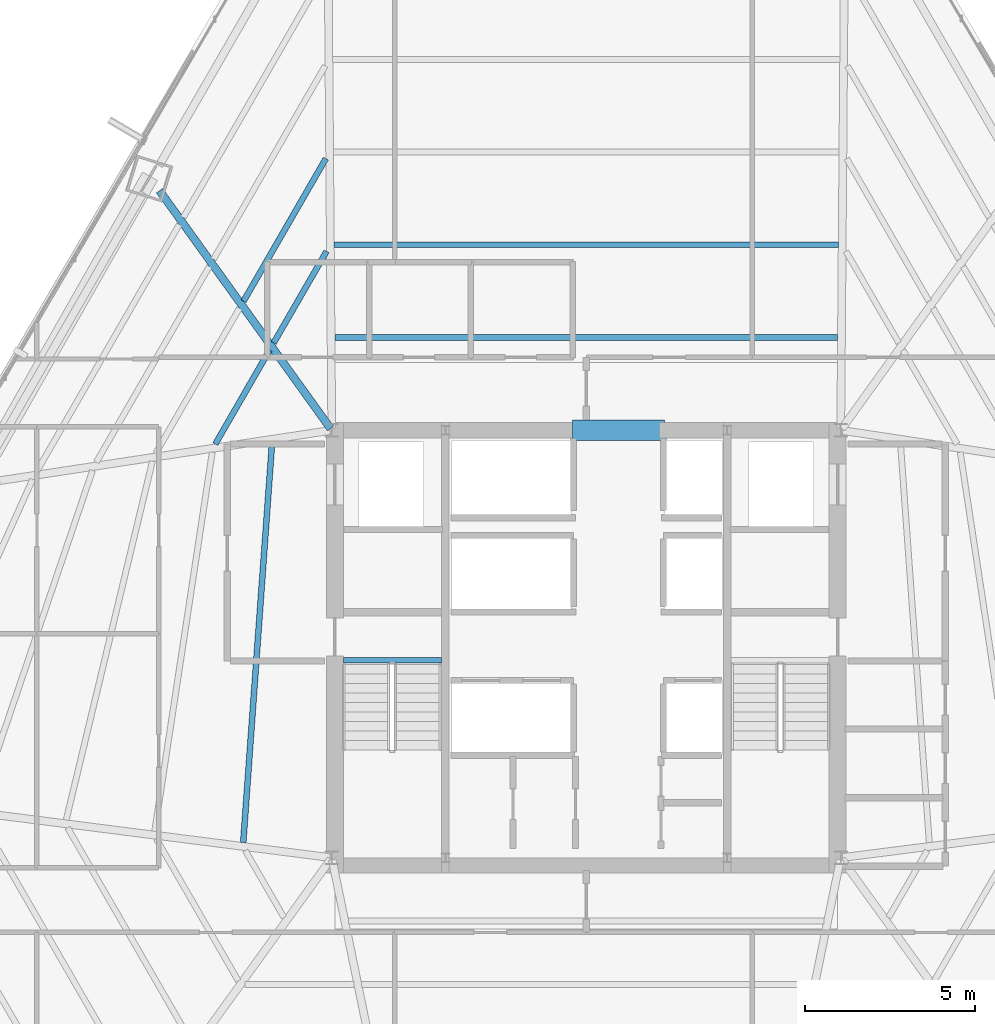
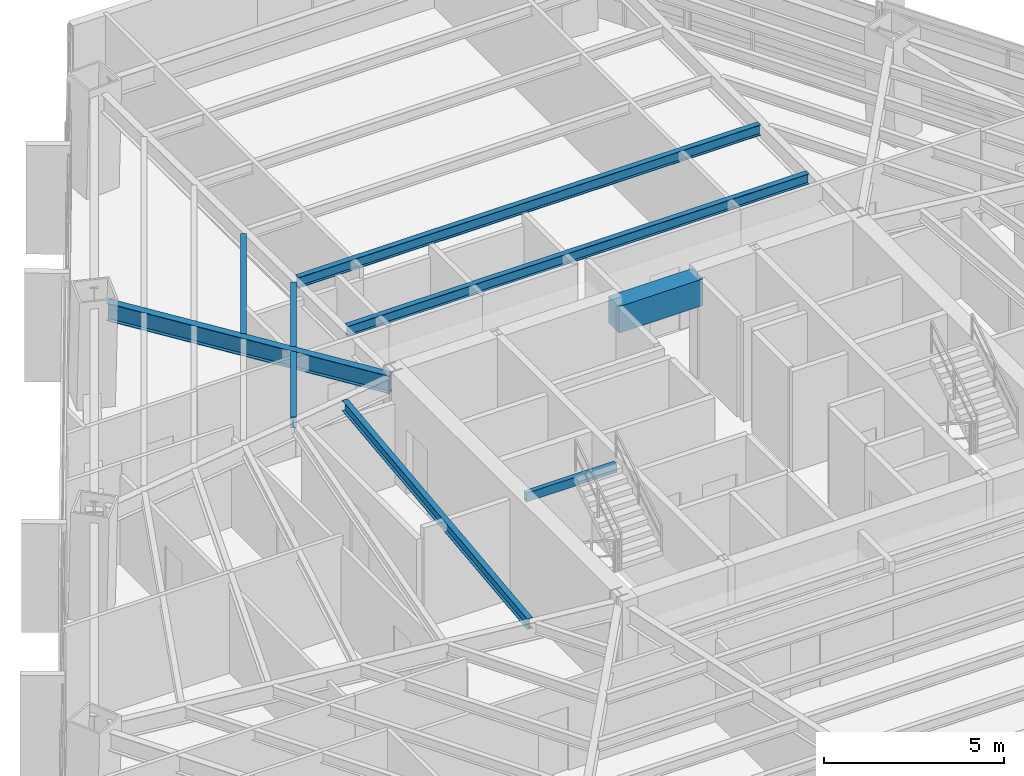
# One storey, part 15 of 35: 9 beams.
"""IFC4 building model written with IfcOpenShell, lengths in metres."""

from ifc_helpers import new_model, si_unit, direction, frame, origin, origin_2d, place, context, subcontext, project, spatial, rectangle, hollow_rectangle, i_section, extrude, source, transform, mapped, material, material_profile, profile_set, type_object, type_shapes, element, save


model = new_model("IFC4")

# Units and contexts
model_context = context("Model", 3, precision=1e-05, world=origin(), true_north=direction((0.0, 1.0)))
body_context = subcontext(model_context, "Body", "Model", "MODEL_VIEW")
ifc_project = project(units=[si_unit("LENGTHUNIT", "METRE"), si_unit("AREAUNIT", "SQUARE_METRE"), si_unit("VOLUMEUNIT", "CUBIC_METRE"), si_unit("PLANEANGLEUNIT", "RADIAN"), si_unit("MASSUNIT", "GRAM", prefix="KILO")], contexts=[model_context])

# Site, building, storey
site_placement = place(None, origin())
site = spatial("IfcSite", under=ifc_project, at=site_placement, CompositionType="ELEMENT")
building_placement = place(site_placement, origin())
building = spatial("IfcBuilding", under=site, at=building_placement, Name="Caelisora Broadcast Tower", CompositionType="ELEMENT")
storey_placement = place(building_placement, frame((0.0, 0.0, 94.449951171875)))
storey = spatial("IfcBuildingStorey", under=building, at=storey_placement, Name="L24", CompositionType="ELEMENT", Elevation=94.449951171875)

# Beams
ifc_material_1 = material(Name="Steel Grade 350 (AS/NZS 1163 C350L0)", Category="steel")
ifc_material_profile_1 = material_profile(ifc_material_1, hollow_rectangle(XDim=0.14990234375, YDim=0.300048828125, WallThickness=0.010009765625, at=origin_2d()), Name="Steel Grade 350 (AS/NZS 1163 C350L0)")
ifc_profile_set_1 = profile_set([ifc_material_profile_1], Name="Steel Grade 350 (AS/NZS 1163 C350L0)")
beam_type_1 = type_object("IfcBeamType", Name="SB05", PredefinedType="JOIST", material=ifc_profile_set_1)
shared_shape_1 = source(origin(), body_context, "Body", "SweptSolid", [
    extrude(hollow_rectangle(XDim=0.14990234375, YDim=0.300048828125, WallThickness=0.010009765625, at=origin_2d()), origin(), (0.0, 0.0, 1.0), 2.89990234375),
])
type_shapes(beam_type_1, [shared_shape_1])
beam_1_placement = place(storey_placement, frame((30.840087890625, 23.219970703125, 3.25), z_axis=(1.0, 0.0, 0.0), x_axis=(0.0, 1.0, 0.0)))
element("IfcBeam", 1, at=beam_1_placement, inside=storey, type_object=beam_type_1, Name="L24 beam SB05", PredefinedType="JOIST", context=body_context, shape_type="MappedRepresentation", body=[
    mapped(shared_shape_1, transform((0.0, 0.0, 0.0), scale=1.0)),
])
ifc_material_2 = material(Name="Concrete 50 MPa (AS 3600 S50)", Category="concrete")
ifc_material_profile_2 = material_profile(ifc_material_2, rectangle(XDim=0.60009765625, YDim=0.89990234375, at=origin_2d()), Name="Concrete 50 MPa (AS 3600 S50)")
ifc_profile_set_2 = profile_set([ifc_material_profile_2], Name="Concrete 50 MPa (AS 3600 S50)")
beam_type_2 = type_object("IfcBeamType", Name="CB02", PredefinedType="LINTEL", material=ifc_profile_set_2)
shared_shape_2 = source(origin(), body_context, "Body", "SweptSolid", [
    extrude(rectangle(XDim=0.60009765625, YDim=0.89990234375, at=origin_2d()), origin(), (0.0, 0.0, 1.0), 2.699951171875),
])
type_shapes(beam_type_2, [shared_shape_2])
beam_2_placement = place(storey_placement, frame((37.60009765625, 30.0, 2.949951171875), z_axis=(1.0, 0.0, 0.0), x_axis=(0.0, 1.0, 0.0)))
element("IfcBeam", 2, at=beam_2_placement, inside=storey, type_object=beam_type_2, Name="L24 beam CB02", PredefinedType="LINTEL", context=body_context, shape_type="MappedRepresentation", body=[
    mapped(shared_shape_2, transform((0.0, 0.0, 0.0), scale=1.0)),
])
ifc_material_3 = material(Name="Steel Grade 350 (AS/NZS 3679.1)", Category="steel")
ifc_material_profile_3 = material_profile(ifc_material_3, i_section(OverallWidth=0.22802734375, OverallDepth=0.602294921875, WebThickness=0.010498046875, FlangeThickness=0.014892578125, at=origin_2d()), Name="Steel Grade 350 (AS/NZS 3679.1)")
ifc_profile_set_3 = profile_set([ifc_material_profile_3], Name="Steel Grade 350 (AS/NZS 3679.1)")
beam_type_3 = type_object("IfcBeamType", Name="PG04", PredefinedType="BEAM", material=ifc_profile_set_3)
shared_shape_3 = source(origin(), body_context, "Body", "SweptSolid", [
    extrude(i_section(OverallWidth=0.22802734375, OverallDepth=0.602294921875, WebThickness=0.010498046875, FlangeThickness=0.014892578125, at=origin_2d()), origin(), (0.0, 0.0, 1.0), 8.634765625),
])
type_shapes(beam_type_3, [shared_shape_3])
beam_3_placement = place(storey_placement, frame((30.465087890625, 30.048583984375, 3.098876953125), z_axis=(-0.583837610273, 0.811870460622, 0.0), x_axis=(-0.811870460622, -0.583837610273, 0.0)))
element("IfcBeam", 3, at=beam_3_placement, inside=storey, type_object=beam_type_3, Name="L24 beam PG04", PredefinedType="BEAM", context=body_context, shape_type="MappedRepresentation", body=[
    mapped(shared_shape_3, transform((0.0, 0.0, 0.0), scale=1.0)),
])
ifc_material_profile_4 = material_profile(ifc_material_3, i_section(OverallWidth=0.172119140625, OverallDepth=0.358642578125, WebThickness=0.008056640625, FlangeThickness=0.012939453125, at=origin_2d()), Name="Steel Grade 350 (AS/NZS 3679.1)")
ifc_profile_set_4 = profile_set([ifc_material_profile_4], Name="Steel Grade 350 (AS/NZS 3679.1)")
beam_type_4 = type_object("IfcBeamType", Name="SB02", PredefinedType="JOIST", material=ifc_profile_set_4)
shared_shape_4 = source(origin(), body_context, "Body", "SweptSolid", [
    extrude(i_section(OverallWidth=0.172119140625, OverallDepth=0.358642578125, WebThickness=0.008056640625, FlangeThickness=0.012939453125, at=origin_2d()), origin(), (0.0, 0.0, 1.0), 14.8203125),
])
beam_4_placement = place(storey_placement, frame((45.41015625, 32.732666015625, 3.220703125), z_axis=(-1.0, 0.0, 0.0), x_axis=(0.0, -1.0, 0.0)))
element("IfcBeam", 4, at=beam_4_placement, inside=storey, type_object=beam_type_4, Name="L24 beam SB02", PredefinedType="JOIST", context=body_context, shape_type="MappedRepresentation", body=[
    mapped(shared_shape_4, transform((0.0, 0.0, 0.0), scale=1.0)),
])
shared_shape_5 = source(origin(), body_context, "Body", "SweptSolid", [
    extrude(i_section(OverallWidth=0.172119140625, OverallDepth=0.358642578125, WebThickness=0.008056640625, FlangeThickness=0.012939453125, at=origin_2d()), origin(), (0.0, 0.0, 1.0), 14.86279296875),
])
beam_5_placement = place(storey_placement, frame((45.431396484375, 35.46533203125, 3.220703125), z_axis=(-1.0, 0.0, 0.0), x_axis=(0.0, -1.0, 0.0)))
element("IfcBeam", 5, at=beam_5_placement, inside=storey, type_object=beam_type_4, Name="L24 beam SB02", PredefinedType="JOIST", context=body_context, shape_type="MappedRepresentation", body=[
    mapped(shared_shape_5, transform((0.0, 0.0, 0.0), scale=1.0)),
])
shared_shape_6 = source(origin(), body_context, "Body", "SweptSolid", [
    extrude(i_section(OverallWidth=0.172119140625, OverallDepth=0.358642578125, WebThickness=0.008056640625, FlangeThickness=0.012939453125, at=origin_2d()), origin(), (0.0, 0.0, 1.0), 3.118408203125),
])
beam_6_placement = place(storey_placement, frame((30.346435546875, 35.273193359375, 3.220703125), z_axis=(-0.499961910629, -0.866047393576, 0.0), x_axis=(0.866047393576, -0.499961910629, 0.0)))
element("IfcBeam", 6, at=beam_6_placement, inside=storey, type_object=beam_type_4, Name="L24 beam SB02", PredefinedType="JOIST", context=body_context, shape_type="MappedRepresentation", body=[
    mapped(shared_shape_6, transform((0.0, 0.0, 0.0), scale=1.0)),
])
shared_shape_7 = source(origin(), body_context, "Body", "SweptSolid", [
    extrude(i_section(OverallWidth=0.172119140625, OverallDepth=0.358642578125, WebThickness=0.008056640625, FlangeThickness=0.012939453125, at=origin_2d()), origin(), (0.0, 0.0, 1.0), 4.849853515625),
])
beam_7_placement = place(storey_placement, frame((30.3251953125, 38.005859375, 3.220703125), z_axis=(-0.499972286653, -0.866041403502, 0.0), x_axis=(0.866041403502, -0.499972286653, 0.0)))
element("IfcBeam", 7, at=beam_7_placement, inside=storey, type_object=beam_type_4, Name="L24 beam SB02", PredefinedType="JOIST", context=body_context, shape_type="MappedRepresentation", body=[
    mapped(shared_shape_7, transform((0.0, 0.0, 0.0), scale=1.0)),
])
shared_shape_8 = source(origin(), body_context, "Body", "SweptSolid", [
    extrude(i_section(OverallWidth=0.172119140625, OverallDepth=0.358642578125, WebThickness=0.008056640625, FlangeThickness=0.012939453125, at=origin_2d()), origin(), (0.0, 0.0, 1.0), 3.197509765625),
])
beam_8_placement = place(storey_placement, frame((28.665283203125, 32.36083984375, 3.220703125), z_axis=(-0.500039698392, -0.866002482694, 0.0), x_axis=(0.866002482694, -0.500039698392, 0.0)))
element("IfcBeam", 8, at=beam_8_placement, inside=storey, type_object=beam_type_4, Name="L24 beam SB02", PredefinedType="JOIST", context=body_context, shape_type="MappedRepresentation", body=[
    mapped(shared_shape_8, transform((0.0, 0.0, 0.0), scale=1.0)),
])
shared_shape_9 = source(origin(), body_context, "Body", "SweptSolid", [
    extrude(i_section(OverallWidth=0.172119140625, OverallDepth=0.358642578125, WebThickness=0.008056640625, FlangeThickness=0.012939453125, at=origin_2d()), origin(), (0.0, 0.0, 1.0), 11.805419921875),
])
type_shapes(beam_type_4, [shared_shape_4, shared_shape_5, shared_shape_6, shared_shape_7, shared_shape_8, shared_shape_9])
beam_9_placement = place(storey_placement, frame((28.7392578125, 29.620361328125, 3.220703125), z_axis=(-0.071946591805, -0.997408485991, 0.0), x_axis=(0.997408485991, -0.071946591805, 0.0)))
element("IfcBeam", 9, at=beam_9_placement, inside=storey, type_object=beam_type_4, Name="L24 beam SB02", PredefinedType="JOIST", context=body_context, shape_type="MappedRepresentation", body=[
    mapped(shared_shape_9, transform((0.0, 0.0, 0.0), scale=1.0)),
])

save(model, "model.ifc")
